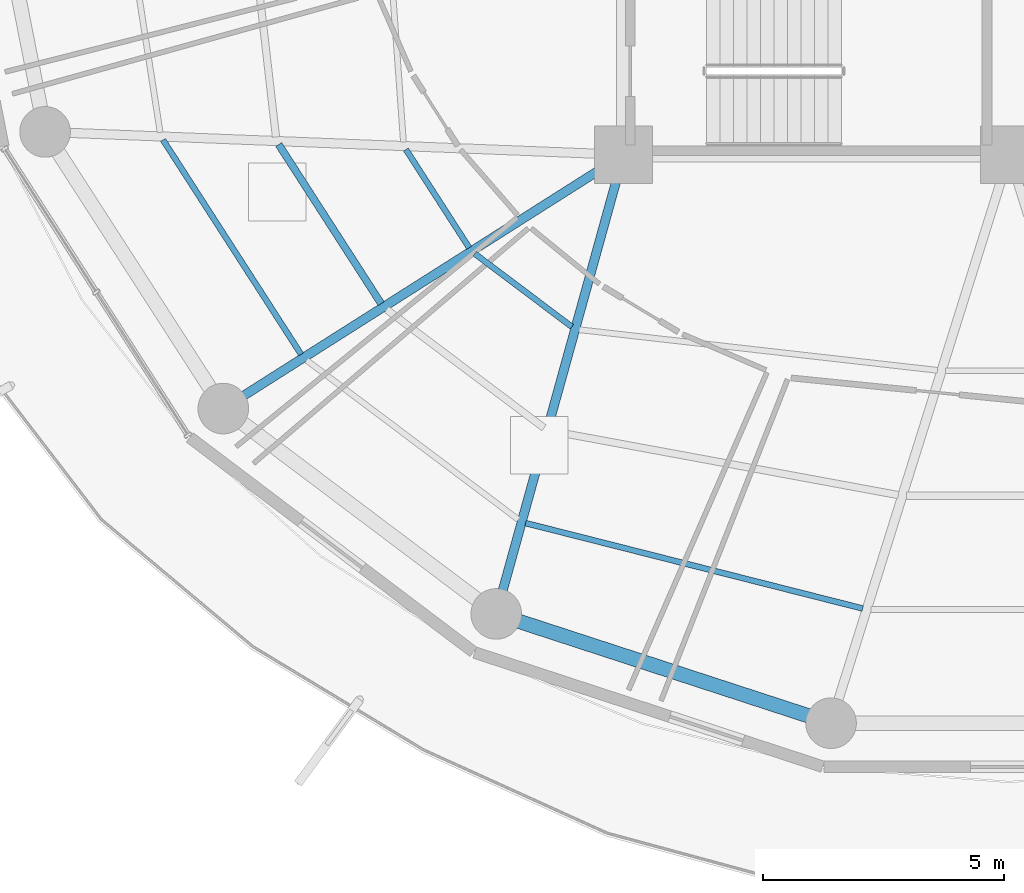
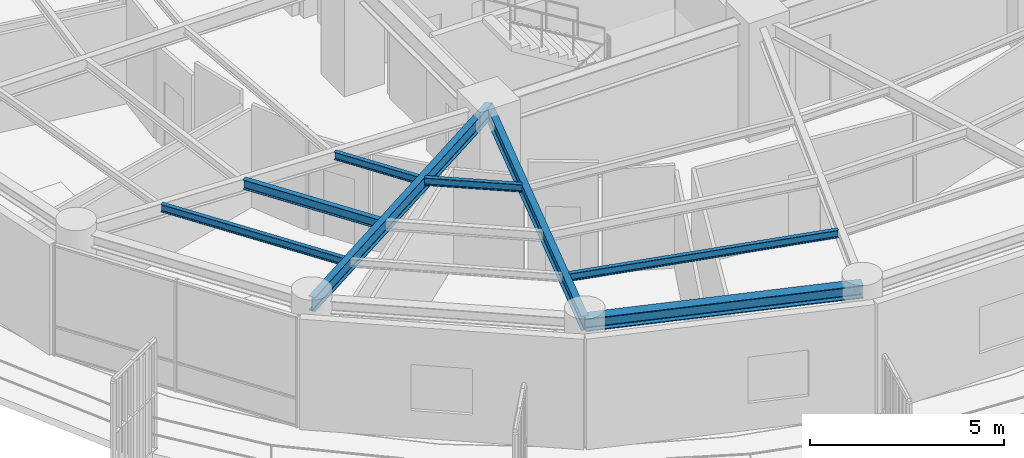
# One storey, part 3 of 31: 8 beams.
"""IFC4 building model written with IfcOpenShell, lengths in metres."""

import ifcopenshell
import ifcopenshell.guid

model = None  # the IFC model being written
_history = None  # IfcOwnerHistory: only IFC2X3 demands one
_inside = {}  # id of a spatial element -> (the spatial element, [elements in it])
_under = {}  # id of a project, library or spatial element -> (it, [spatial elements below it])
_declared = {}  # id of a project -> (the project, [libraries it declares])
_typed = {}  # id of a type object -> (the type object, [elements of that type])
_made_of = {}  # id of a material, layer set ... -> (it, [elements and type objects made of it])


def new_model(schema):
    """Start an empty IFC model of exactly this schema.

    Asked for "IFC4X3", IfcOpenShell would pick the latest addendum, in which some entities
    have other attributes; the version numbers below select the first issue.
    IFC2X3 requires an IfcOwnerHistory on every rooted entity: one is made here for all.
    """
    global model, _history
    if schema == "IFC4X3":
        model = ifcopenshell.file(schema_version=(4, 3, 0, 0))
    else:
        model = ifcopenshell.file(schema=schema)
    _inside.clear()
    _under.clear()
    _declared.clear()
    _typed.clear()
    _made_of.clear()
    _history = None
    if model.schema == "IFC2X3":
        org = make("IfcOrganization", Name="unknown")
        user = make(
            "IfcPersonAndOrganization",
            ThePerson=make("IfcPerson", FamilyName="unknown"),
            TheOrganization=org,
        )
        app = make(
            "IfcApplication",
            ApplicationDeveloper=org,
            Version="unknown",
            ApplicationFullName="unknown",
            ApplicationIdentifier="unknown",
        )
        _history = make(
            "IfcOwnerHistory",
            OwningUser=user,
            OwningApplication=app,
            ChangeAction="ADDED",
            CreationDate=0,
        )
    return model


def make(cls, **values):
    """One entity of the class cls with the attributes given. An attribute that is None is left unset."""
    return model.create_entity(
        cls, **{name: value for name, value in values.items() if value is not None}
    )


def rooted(cls, **values):
    """An entity with a GlobalId (a new one), such as an element, a storey or a relation."""
    return make(cls, GlobalId=ifcopenshell.guid.new(), OwnerHistory=_history, **values)


def si_unit(unit_type, name, prefix=None):
    """IfcSIUnit, for example si_unit("LENGTHUNIT", "METRE", prefix="MILLI")."""
    return make("IfcSIUnit", UnitType=unit_type, Prefix=prefix, Name=name)


def assignment(units):
    """IfcUnitAssignment: the units of a project."""
    return None if units is None else make("IfcUnitAssignment", Units=units)


def point(xyz):
    """IfcCartesianPoint."""
    return None if xyz is None else make("IfcCartesianPoint", Coordinates=xyz)


def direction(xyz):
    """IfcDirection."""
    return None if xyz is None else make("IfcDirection", DirectionRatios=xyz)


def frame(location, z_axis=None, x_axis=None):
    """IfcAxis2Placement3D, a coordinate frame: its origin and axes. An axis left out is left unset."""
    return make(
        "IfcAxis2Placement3D",
        Location=point(location),
        Axis=direction(z_axis),
        RefDirection=direction(x_axis),
    )


def frame_2d(location, x_axis=None):
    """IfcAxis2Placement2D, a coordinate frame in the plane: its origin and x axis."""
    return make(
        "IfcAxis2Placement2D", Location=point(location), RefDirection=direction(x_axis)
    )


def origin():
    """The frame at (0, 0, 0) with its axes left unset."""
    return frame((0.0, 0.0, 0.0))


def origin_2d():
    """The frame at (0, 0) in the plane with its x axis left unset."""
    return frame_2d((0.0, 0.0))


def place(relative_to, where):
    """IfcLocalPlacement: puts the frame where relative to a parent placement (None: the world)."""
    return make(
        "IfcLocalPlacement", PlacementRelTo=relative_to, RelativePlacement=where
    )


def context(
    kind, dimensions, precision=None, world=None, true_north=None, identifier=None
):
    """IfcGeometricRepresentationContext, for example the 3D "Model" context."""
    return make(
        "IfcGeometricRepresentationContext",
        ContextIdentifier=identifier,
        ContextType=kind,
        CoordinateSpaceDimension=dimensions,
        Precision=precision,
        WorldCoordinateSystem=world,
        TrueNorth=true_north,
    )


def subcontext(parent, identifier, kind, view, scale=None):
    """IfcGeometricRepresentationSubContext, for example "Body" below "Model"."""
    return make(
        "IfcGeometricRepresentationSubContext",
        ContextIdentifier=identifier,
        ContextType=kind,
        ParentContext=parent,
        TargetScale=scale,
        TargetView=view,
    )


def project(units=None, contexts=None):
    """IfcProject with its units and contexts."""
    return rooted(
        "IfcProject",
        Name="project",
        RepresentationContexts=contexts,
        UnitsInContext=assignment(units),
    )


def spatial(cls, under=None, at=None, **own):
    """A site, building, storey or space (cls), placed at a placement, below another one or the project."""
    s = rooted(cls, ObjectPlacement=at, **own)
    if under is not None:
        _under.setdefault(under.id(), (under, []))[1].append(s)
    return s


def profile(cls, at=None, kind="AREA", **sizes):
    """A parametric profile (cls). Its sizes go by their IFC names, for example OverallWidth=200.0."""
    return make(cls, ProfileType=kind, Position=at, **sizes)


def i_section(**sizes):
    """IfcIShapeProfileDef."""
    return profile("IfcIShapeProfileDef", **sizes)


def extrude(swept, where, along, depth):
    """IfcExtrudedAreaSolid: the profile swept, set in the frame where, extruded along a direction by depth."""
    return make(
        "IfcExtrudedAreaSolid",
        SweptArea=swept,
        Position=where,
        ExtrudedDirection=direction(along),
        Depth=depth,
    )


def shape(context_of_items, identifier, shape_type, items):
    """IfcShapeRepresentation: the items that make up one representation, for example the "Body"."""
    return make(
        "IfcShapeRepresentation",
        ContextOfItems=context_of_items,
        RepresentationIdentifier=identifier,
        RepresentationType=shape_type,
        Items=items,
    )


def material(Name=None, Category=None):
    """IfcMaterial."""
    return make("IfcMaterial", Name=Name, Category=Category)


def material_profile(
    of_material, cross_section, Name=None, Category=None, Priority=None
):
    """IfcMaterialProfile: a cross section and its material."""
    return make(
        "IfcMaterialProfile",
        Name=Name,
        Material=of_material,
        Profile=cross_section,
        Priority=Priority,
        Category=Category,
    )


def profile_set(profiles, Name=None, composite=None):
    """IfcMaterialProfileSet."""
    return make(
        "IfcMaterialProfileSet",
        Name=Name,
        MaterialProfiles=profiles,
        CompositeProfile=composite,
    )


def made_of(thing, what):
    """Note that an element or type object is made of a material, layer set ...; save() writes the relation."""
    if what is not None:
        _made_of.setdefault(what.id(), (what, []))[1].append(thing)
    return thing


def type_object(cls, material=None, **own):
    """A type object (cls), such as IfcWallType, which elements share."""
    return made_of(rooted(cls, **own), material)


def element(
    cls,
    number,
    at=None,
    inside=None,
    cuts=None,
    type_object=None,
    material=None,
    context=None,
    identifier="Body",
    shape_type=None,
    held_by="IfcProductDefinitionShape",
    body=None,
    shapes=None,
    **own,
):
    """One element of the class cls, such as IfcWall. Its Tag is "e" and its number.

    at: its placement. inside: the storey or other place that contains it. cuts: it is an
    opening in that element (IfcRelVoidsElement). A single representation is given by context,
    identifier, shape_type and body (its items); several are given by shapes. held_by: the class
    of the entity that holds the representations. save() writes the other relations.
    """
    e = rooted(cls, Tag="e%d" % number, ObjectPlacement=at, **own)
    if body is not None:
        shapes = [shape(context, identifier, shape_type, body)]
    if shapes is not None:
        e.Representation = make(held_by, Representations=shapes)
    if inside is not None:
        _inside.setdefault(inside.id(), (inside, []))[1].append(e)
    if cuts is not None:
        rooted(
            "IfcRelVoidsElement", RelatingBuildingElement=cuts, RelatedOpeningElement=e
        )
    if type_object is not None:
        _typed.setdefault(type_object.id(), (type_object, []))[1].append(e)
    return made_of(e, material)


def aggregate(whole, parts):
    """IfcRelAggregates: a whole, such as a stair, and the parts it consists of."""
    return rooted("IfcRelAggregates", RelatingObject=whole, RelatedObjects=parts)


def save(model, path):
    """Write the relations noted so far, then the file.

    IfcRelAggregates (storeys below a building ...), IfcRelContainedInSpatialStructure (elements
    in a storey), IfcRelDefinesByType, IfcRelAssociatesMaterial and IfcRelDeclares: one each for
    every whole, place, type object, material and project.
    """
    for whole, parts in _under.values():
        aggregate(whole, parts)
    for where, things in _inside.values():
        rooted(
            "IfcRelContainedInSpatialStructure",
            RelatedElements=things,
            RelatingStructure=where,
        )
    for kind, things in _typed.values():
        rooted("IfcRelDefinesByType", RelatedObjects=things, RelatingType=kind)
    for what, things in _made_of.values():
        rooted("IfcRelAssociatesMaterial", RelatedObjects=things, RelatingMaterial=what)
    for by, libraries in _declared.values():
        rooted("IfcRelDeclares", RelatingContext=by, RelatedDefinitions=libraries)
    model.write(path)


model = new_model("IFC4")

# Units and contexts
model_context = context("Model", 3, precision=1e-05, world=origin(), true_north=direction((0.0, 1.0)))
body_context = subcontext(model_context, "Body", "Model", "MODEL_VIEW")
ifc_project = project(units=[si_unit("LENGTHUNIT", "METRE"), si_unit("AREAUNIT", "SQUARE_METRE"), si_unit("VOLUMEUNIT", "CUBIC_METRE"), si_unit("PLANEANGLEUNIT", "RADIAN"), si_unit("MASSUNIT", "GRAM", prefix="KILO")], contexts=[model_context])

# Site, building, storey
site_placement = place(None, origin())
site = spatial("IfcSite", under=ifc_project, at=site_placement, CompositionType="ELEMENT")
building_placement = place(site_placement, origin())
building = spatial("IfcBuilding", under=site, at=building_placement, Name="Kelanora Arch Commons", CompositionType="ELEMENT")
storey_placement = place(building_placement, frame((0.0, 0.0, 193.199951171875)))
storey = spatial("IfcBuildingStorey", under=building, at=storey_placement, Name="L49", CompositionType="ELEMENT", Elevation=193.199951171875)

# Beams
ifc_material = material(Name="Steel S355", Category="steel")
ifc_material_profile_1 = material_profile(ifc_material, i_section(OverallWidth=0.14990234375, OverallDepth=0.300048828125, WebThickness=0.007080078125, FlangeThickness=0.0107421875, FilletRadius=0.014892578125, at=origin_2d()), Name="IPE300")
ifc_profile_set_1 = profile_set([ifc_material_profile_1], Name="Steel S355")
beam_type_1 = type_object("IfcBeamType", Name="BM-JST-01", PredefinedType="JOIST", material=ifc_profile_set_1)
beam_1_placement = place(storey_placement, frame((58.847900390625, 51.213134765625, 3.340087890625), z_axis=(0.541411265892, -0.840757896879, 0.0), x_axis=(0.840757896879, 0.541411265892, 0.0)))
element("IfcBeam", 1, at=beam_1_placement, inside=storey, type_object=beam_type_1, Name="Secondary Chord Joist BJB-20 L49", PredefinedType="JOIST", context=body_context, shape_type="SweptSolid", body=[
    extrude(i_section(OverallWidth=0.14990234375, OverallDepth=0.300048828125, WebThickness=0.007080078125, FlangeThickness=0.0107421875, FilletRadius=0.014892578125, at=origin_2d()), origin(), (0.0, 0.0, 1.0), 3.92529296875),
])
ifc_material_profile_2 = material_profile(ifc_material, i_section(OverallWidth=0.1201171875, OverallDepth=0.239990234375, WebThickness=0.006103515625, FlangeThickness=0.009765625, FilletRadius=0.014892578125, at=origin_2d()), Name="IPE240")
ifc_profile_set_2 = profile_set([ifc_material_profile_2], Name="Steel S355")
beam_type_2 = type_object("IfcBeamType", Name="BM-JST-02", PredefinedType="JOIST", material=ifc_profile_set_2)
beam_2_placement = place(storey_placement, frame((61.4873046875, 51.10888671875, 3.3701171875), z_axis=(0.541332763503, -0.840808443796, 0.0), x_axis=(0.840808443796, 0.541332763503, 0.0)))
element("IfcBeam", 2, at=beam_2_placement, inside=storey, type_object=beam_type_2, Name="Secondary Chord Joist BJA-20 L49", PredefinedType="JOIST", context=body_context, shape_type="SweptSolid", body=[
    extrude(i_section(OverallWidth=0.1201171875, OverallDepth=0.239990234375, WebThickness=0.006103515625, FlangeThickness=0.009765625, FilletRadius=0.014892578125, at=origin_2d()), origin(), (0.0, 0.0, 1.0), 2.423583984375),
])
beam_3_placement = place(storey_placement, frame((56.44873046875, 51.30810546875, 3.3701171875), z_axis=(0.541382492679, -0.840776424872, 0.0), x_axis=(0.840776424872, 0.541382492679, 0.0)))
element("IfcBeam", 3, at=beam_3_placement, inside=storey, type_object=beam_type_2, Name="Secondary Chord Joist BJC-20 L49", PredefinedType="JOIST", context=body_context, shape_type="SweptSolid", body=[
    extrude(i_section(OverallWidth=0.1201171875, OverallDepth=0.239990234375, WebThickness=0.006103515625, FlangeThickness=0.009765625, FilletRadius=0.014892578125, at=origin_2d()), origin(), (0.0, 0.0, 1.0), 5.29052734375),
])
beam_4_placement = place(storey_placement, frame((62.913330078125, 48.948486328125, 3.3701171875), z_axis=(0.79911638933, -0.601176343766, 0.0), x_axis=(0.601176343766, 0.79911638933, 0.0)))
element("IfcBeam", 4, at=beam_4_placement, inside=storey, type_object=beam_type_2, Name="Secondary Chord Joist BJA-22 L49", PredefinedType="JOIST", context=body_context, shape_type="SweptSolid", body=[
    extrude(i_section(OverallWidth=0.1201171875, OverallDepth=0.239990234375, WebThickness=0.006103515625, FlangeThickness=0.009765625, FilletRadius=0.014892578125, at=origin_2d()), origin(), (0.0, 0.0, 1.0), 2.522216796875),
])
beam_5_placement = place(storey_placement, frame((63.970458984375, 43.360107421875, 3.3701171875), z_axis=(0.969370989998, -0.245601066263, 0.0), x_axis=(0.245601066263, 0.969370989998, 0.0)))
element("IfcBeam", 5, at=beam_5_placement, inside=storey, type_object=beam_type_2, Name="Secondary Chord Joist BJC-24 L49", PredefinedType="JOIST", context=body_context, shape_type="SweptSolid", body=[
    extrude(i_section(OverallWidth=0.1201171875, OverallDepth=0.239990234375, WebThickness=0.006103515625, FlangeThickness=0.009765625, FilletRadius=0.014892578125, at=origin_2d()), origin(), (0.0, 0.0, 1.0), 7.2119140625),
])
ifc_material_profile_3 = material_profile(ifc_material, i_section(OverallWidth=0.18994140625, OverallDepth=0.449951171875, WebThickness=0.009521484375, FlangeThickness=0.0146484375, FilletRadius=0.02099609375, at=origin_2d()), Name="IPE450")
ifc_profile_set_3 = profile_set([ifc_material_profile_3], Name="Steel S355")
beam_type_3 = type_object("IfcBeamType", Name="BM-RAD-Z4", PredefinedType="BEAM", material=ifc_profile_set_3)
beam_6_placement = place(storey_placement, frame((66.0, 51.0, 3.26513671875), z_axis=(-0.844507208607, -0.535544185489, 0.0), x_axis=(0.535544185489, -0.844507208607, 0.0)))
element("IfcBeam", 6, at=beam_6_placement, inside=storey, type_object=beam_type_3, Name="Radial Floor Girder BR-22 L49", PredefinedType="BEAM", context=body_context, shape_type="SweptSolid", body=[
    extrude(i_section(OverallWidth=0.18994140625, OverallDepth=0.449951171875, WebThickness=0.009521484375, FlangeThickness=0.0146484375, FilletRadius=0.02099609375, at=origin_2d()), origin(), (0.0, 0.0, 1.0), 9.830078125),
])
beam_7_placement = place(storey_placement, frame((66.0, 51.0, 3.26513671875), z_axis=(-0.267120164296, -0.963663228429, 0.0), x_axis=(0.963663228429, -0.267120164296, 0.0)))
element("IfcBeam", 7, at=beam_7_placement, inside=storey, type_object=beam_type_3, Name="Radial Floor Girder BR-24 L49", PredefinedType="BEAM", context=body_context, shape_type="SweptSolid", body=[
    extrude(i_section(OverallWidth=0.18994140625, OverallDepth=0.449951171875, WebThickness=0.009521484375, FlangeThickness=0.0146484375, FilletRadius=0.02099609375, at=origin_2d()), origin(), (0.0, 0.0, 1.0), 9.8828125),
])
ifc_material_profile_4 = material_profile(ifc_material, i_section(OverallWidth=0.300048828125, OverallDepth=0.39990234375, WebThickness=0.013427734375, FlangeThickness=0.02392578125, FilletRadius=0.027099609375, at=origin_2d()), Name="HEB400")
ifc_profile_set_4 = profile_set([ifc_material_profile_4], Name="Steel S355")
beam_type_4 = type_object("IfcBeamType", Name="BM-SPN-Z4", PredefinedType="SPANDREL", material=ifc_profile_set_4)
beam_8_placement = place(storey_placement, frame((63.360107421875, 41.476318359375, 3.2900390625), z_axis=(0.950656361143, -0.310245842872, 0.0), x_axis=(0.310245842872, 0.950656361143, 0.0)))
element("IfcBeam", 8, at=beam_8_placement, inside=storey, type_object=beam_type_4, Name="Perimeter Spandrel Beam BS-24 L49", PredefinedType="SPANDREL", context=body_context, shape_type="SweptSolid", body=[
    extrude(i_section(OverallWidth=0.300048828125, OverallDepth=0.39990234375, WebThickness=0.013427734375, FlangeThickness=0.02392578125, FilletRadius=0.027099609375, at=origin_2d()), origin(), (0.0, 0.0, 1.0), 7.304931640625),
])

save(model, "model.ifc")
